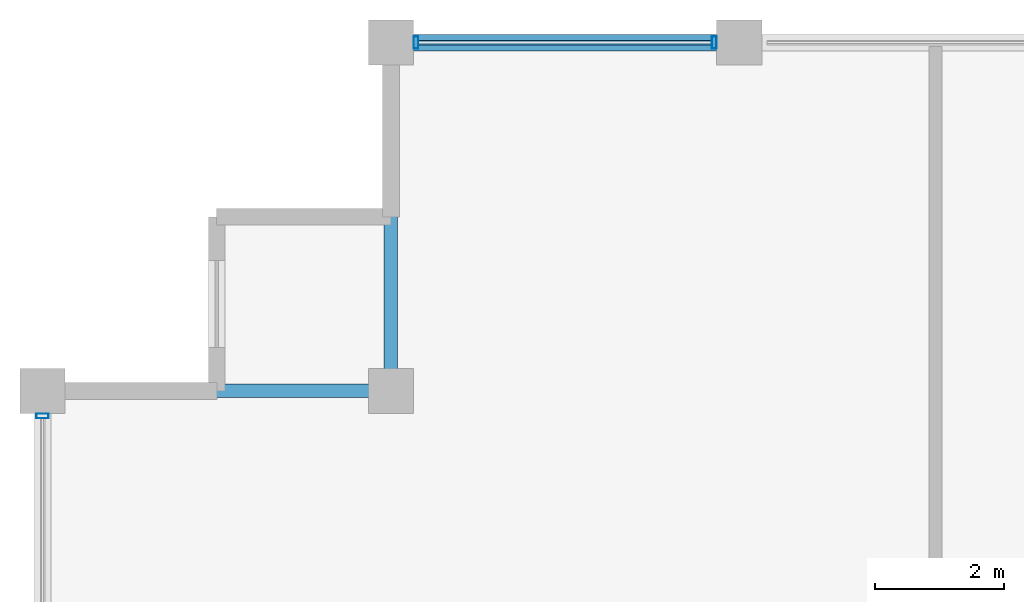
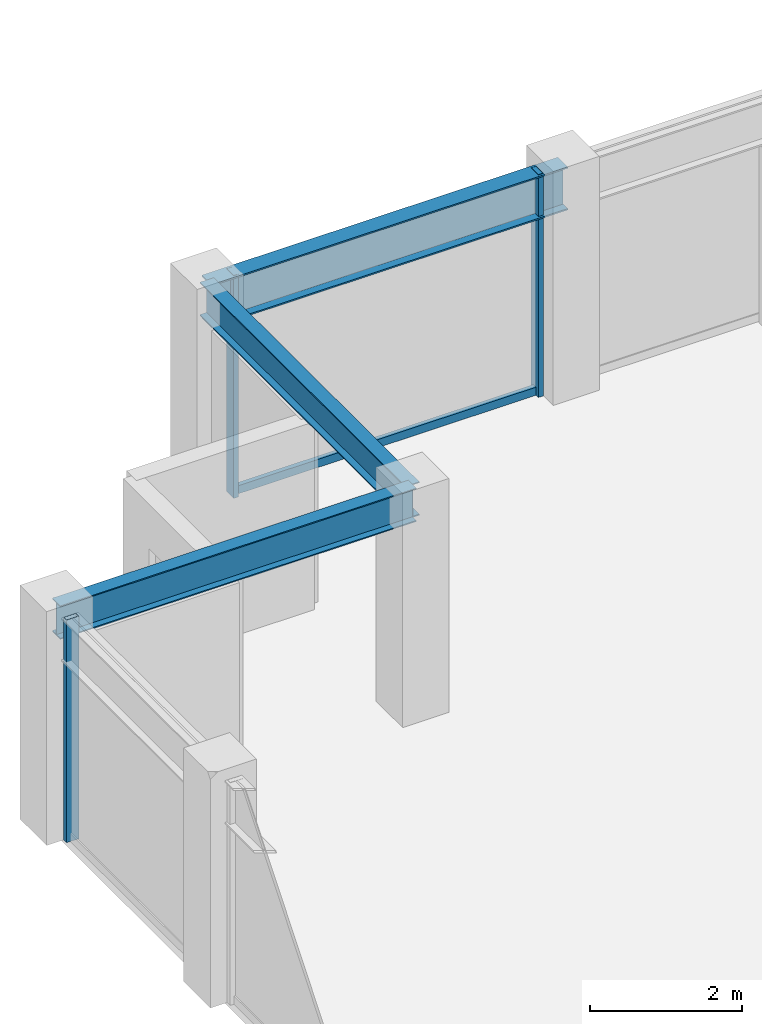
# One storey, part 16 of 30: 4 members, 3 beams, 2 elements without a shape of their own.
"""IFC4 building model written with IfcOpenShell, lengths in metres."""

from ifc_helpers import new_model, si_unit, direction, frame, origin, origin_2d, place, context, subcontext, project, spatial, hollow_rectangle, i_section, extrude, material, layer, layer_set, material_profile, profile_set, type_object, element, aggregate, save


model = new_model("IFC4")

# Units and contexts
model_context = context("Model", 3, precision=1e-05, world=origin(), true_north=direction((0.0, 1.0)))
body_context = subcontext(model_context, "Body", "Model", "MODEL_VIEW")
ifc_project = project(units=[si_unit("LENGTHUNIT", "METRE"), si_unit("AREAUNIT", "SQUARE_METRE"), si_unit("VOLUMEUNIT", "CUBIC_METRE"), si_unit("PLANEANGLEUNIT", "RADIAN"), si_unit("MASSUNIT", "GRAM", prefix="KILO")], contexts=[model_context])

# Site, building, storey
site_placement = place(None, origin())
site = spatial("IfcSite", under=ifc_project, at=site_placement, CompositionType="ELEMENT")
building_placement = place(site_placement, origin())
building = spatial("IfcBuilding", under=site, at=building_placement, Name="Surkhivell Harbour Commons", CompositionType="ELEMENT")
storey_placement = place(building_placement, frame((0.0, 0.0, 296.25)))
storey = spatial("IfcBuildingStorey", under=building, at=storey_placement, Name="L77", CompositionType="ELEMENT", Elevation=296.25)

# Beams
ifc_material_1 = material(Name="Steel S355", Category="steel")
ifc_material_profile_1 = material_profile(ifc_material_1, i_section(OverallWidth=0.2099609375, OverallDepth=0.537109375, WebThickness=0.0107421875, FlangeThickness=0.017333984375, at=origin_2d()), Name="UB533x210x101")
ifc_profile_set_1 = profile_set([ifc_material_profile_1], Name="Steel S355")
beam_type_1 = type_object("IfcBeamType", Name="BM-GRD-533B", PredefinedType="BEAM", material=ifc_profile_set_1)
for number, where, z_axis, x_axis, name in (
    (1, (-27.0, 20.5, 3.301513671875), (1.0, 0.0, 0.0), (0.0, 1.0, 0.0), "L77 Floor Girder (-27.0,20.5)"),
    (2, (-21.60009765625, 20.5, 3.301513671875), (0.0, 1.0, 0.0), (-1.0, 0.0, 0.0), "L77 Floor Girder (-21.6,20.5)"),
):
    element("IfcBeam", number, at=place(storey_placement, frame(where, z_axis=z_axis, x_axis=x_axis)), inside=storey, type_object=beam_type_1, Name=name, PredefinedType="BEAM", context=body_context, shape_type="SweptSolid", body=[
        extrude(i_section(OverallWidth=0.2099609375, OverallDepth=0.537109375, WebThickness=0.0107421875, FlangeThickness=0.017333984375, at=origin_2d()), origin(), (0.0, 0.0, 1.0), 5.39990234375),
    ])
ifc_material_profile_2 = material_profile(ifc_material_1, i_section(OverallWidth=0.256103515625, OverallDepth=0.693115234375, WebThickness=0.014404296875, FlangeThickness=0.023681640625, at=origin_2d()), Name="UB686x254x170")
ifc_profile_set_2 = profile_set([ifc_material_profile_2], Name="Steel S355")
beam_type_2 = type_object("IfcBeamType", Name="BM-SPN-686", PredefinedType="SPANDREL", material=ifc_profile_set_2)
beam_placement = place(storey_placement, frame((-21.60009765625, 25.89990234375, 3.223388671875), z_axis=(1.0, 0.0, 0.0), x_axis=(0.0, 1.0, 0.0)))
element("IfcBeam", 3, at=beam_placement, inside=storey, type_object=beam_type_2, Name="L77 Tube Spandrel (-21.6,25.9)", PredefinedType="SPANDREL", context=body_context, shape_type="SweptSolid", body=[
    extrude(i_section(OverallWidth=0.256103515625, OverallDepth=0.693115234375, WebThickness=0.014404296875, FlangeThickness=0.023681640625, at=origin_2d()), origin(), (0.0, 0.0, 1.0), 5.400146484375),
])

# Curtain wall, members
ifc_material_2 = material(Name="Anodised pale-metal aluminium and insulated glazing", Category="aluminium")
ifc_layer = layer(ifc_material_2, 0.175048828125)
ifc_layer_set = layer_set([ifc_layer], Name="Anodised pale-metal aluminium and insulated glazing")
curtain_wall_type = type_object("IfcCurtainWallType", Name="CW-SYS-Z4", PredefinedType="NOTDEFINED", material=ifc_layer_set)
curtain_wall_1_placement = place(storey_placement, origin())
curtain_wall_1 = element("IfcCurtainWall", 4, at=curtain_wall_1_placement, inside=storey, type_object=curtain_wall_type, Name="L77 Curtain Wall CW-L77-E07S2", PredefinedType="NOTDEFINED")
ifc_material_3 = material(Name="Anodised pale-metal aluminium alloy 6063-T6", Category="aluminium")
ifc_material_profile_3 = material_profile(ifc_material_3, hollow_rectangle(XDim=0.074951171875, YDim=0.18994140625, WallThickness=0.00390625, at=origin_2d()), Name="ALU-MULL-75x190")
ifc_profile_set_3 = profile_set([ifc_material_profile_3], Name="Anodised pale-metal aluminium alloy 6063-T6")
member_type_1 = type_object("IfcMemberType", Name="CWM-190", PredefinedType="MULLION", material=ifc_profile_set_3)
member_1_placement = place(storey_placement, frame((-16.589599609375, 25.89990234375, 0.0), z_axis=(0.0, 0.0, 1.0), x_axis=(-1.0, 0.0, 0.0)))
member_1 = element("IfcMember", 5, at=member_1_placement, type_object=member_type_1, Name="CW-Z4 mullion 3", PredefinedType="MULLION", context=body_context, shape_type="SweptSolid", body=[
    extrude(hollow_rectangle(XDim=0.074951171875, YDim=0.18994140625, WallThickness=0.00390625, at=origin_2d()), origin(), (0.0, 0.0, 1.0), 3.570068359375),
])
member_2_placement = place(storey_placement, frame((-21.21044921875, 25.89990234375, 0.0), z_axis=(0.0, 0.0, 1.0), x_axis=(-1.0, 0.0, 0.0)))
member_2 = element("IfcMember", 6, at=member_2_placement, type_object=member_type_1, Name="CW-Z4 mullion 4", PredefinedType="MULLION", context=body_context, shape_type="SweptSolid", body=[
    extrude(hollow_rectangle(XDim=0.074951171875, YDim=0.18994140625, WallThickness=0.00390625, at=origin_2d()), origin(), (0.0, 0.0, 1.0), 3.570068359375),
])

# Curtain wall, member
curtain_wall_2_placement = place(storey_placement, origin())
curtain_wall_2 = element("IfcCurtainWall", 7, at=curtain_wall_2_placement, inside=storey, type_object=curtain_wall_type, Name="L77 Curtain Wall CW-L77-E12S1", PredefinedType="NOTDEFINED")
member_3_placement = place(storey_placement, frame((-27.0, 20.110595703125, 0.0), z_axis=(0.0, 0.0, 1.0), x_axis=(0.0, -1.0, 0.0)))
member_3 = element("IfcMember", 8, at=member_3_placement, type_object=member_type_1, Name="CW-Z4 mullion 1", PredefinedType="MULLION", context=body_context, shape_type="SweptSolid", body=[
    extrude(hollow_rectangle(XDim=0.074951171875, YDim=0.18994140625, WallThickness=0.00390625, at=origin_2d()), origin(), (0.0, 0.0, 1.0), 3.570068359375),
])
aggregate(curtain_wall_2, [member_3])

# Member
ifc_material_4 = material(Name="Champagne anodised aluminium alloy 6063-T6", Category="aluminium")
ifc_material_profile_4 = material_profile(ifc_material_4, hollow_rectangle(XDim=0.070068359375, YDim=0.1298828125, WallThickness=0.00341796875, at=origin_2d()), Name="ALU-TRAN-70x130")
ifc_profile_set_4 = profile_set([ifc_material_profile_4], Name="Champagne anodised aluminium alloy 6063-T6")
member_type_2 = type_object("IfcMemberType", Name="CWT-130", PredefinedType="USERDEFINED", material=ifc_profile_set_4)
member_4_placement = place(storey_placement, frame((-16.626953125, 25.89990234375, 0.06494140625), z_axis=(-1.0, 0.0, 0.0), x_axis=(0.0, -1.0, 0.0)))
member_4 = element("IfcMember", 9, at=member_4_placement, type_object=member_type_2, Name="CW-Z4 transom 3.1", ObjectType="TRANSOM", PredefinedType="USERDEFINED", context=body_context, shape_type="SweptSolid", body=[
    extrude(hollow_rectangle(XDim=0.070068359375, YDim=0.1298828125, WallThickness=0.00341796875, at=origin_2d()), origin(), (0.0, 0.0, 1.0), 4.546142578125),
])

aggregate(curtain_wall_1, [member_1, member_2, member_4])

save(model, "model.ifc")
